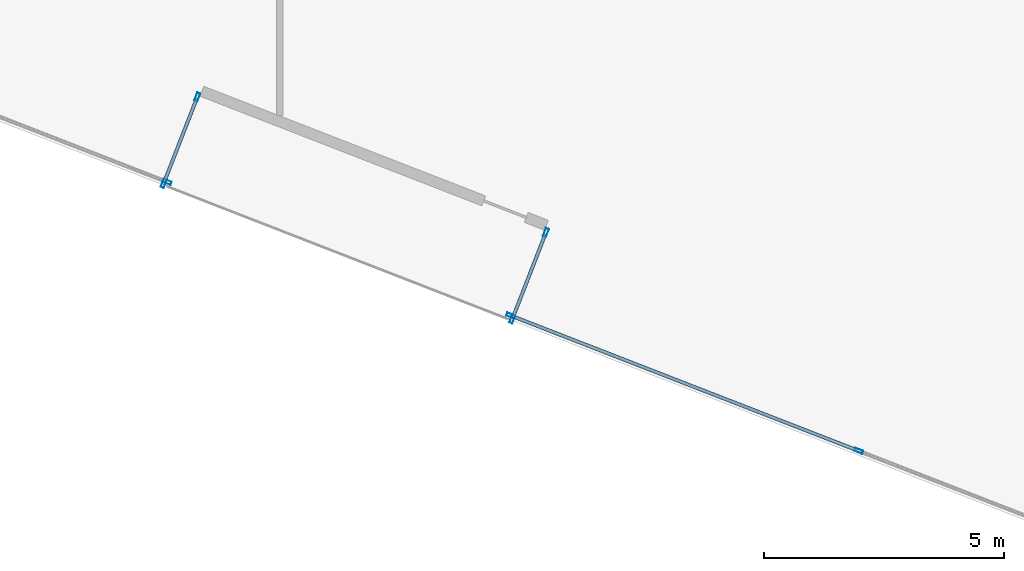
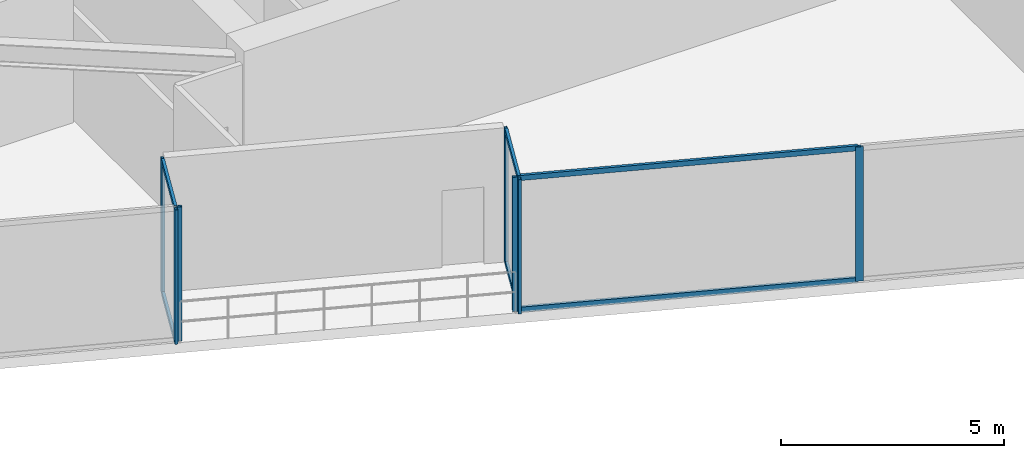
# One storey, part 3 of 26: 13 members, 4 elements without a shape of their own.
"""IFC4 building model written with IfcOpenShell, lengths in metres."""

from ifc_helpers import new_model, si_unit, direction, frame, origin, origin_2d, place, context, subcontext, project, spatial, hollow_rectangle, extrude, source, transform, mapped, material, material_profile, profile_set, type_object, type_shapes, element, aggregate, save


model = new_model("IFC4")

# Units and contexts
model_context = context("Model", 3, precision=1e-05, world=origin(), true_north=direction((0.0, 1.0)))
body_context = subcontext(model_context, "Body", "Model", "MODEL_VIEW")
ifc_project = project(units=[si_unit("LENGTHUNIT", "METRE"), si_unit("AREAUNIT", "SQUARE_METRE"), si_unit("VOLUMEUNIT", "CUBIC_METRE"), si_unit("PLANEANGLEUNIT", "RADIAN"), si_unit("MASSUNIT", "GRAM", prefix="KILO")], contexts=[model_context])

# Site, building, storey
site_placement = place(None, origin())
site = spatial("IfcSite", under=ifc_project, at=site_placement, CompositionType="ELEMENT")
building_placement = place(site_placement, origin())
building = spatial("IfcBuilding", under=site, at=building_placement, Name="Krantzveldt Concourse Tower", CompositionType="ELEMENT")
storey_placement = place(building_placement, frame((0.0, 0.0, 129.550048828125)))
storey = spatial("IfcBuildingStorey", under=building, at=storey_placement, Name="L31", CompositionType="ELEMENT", Elevation=129.550048828125)

# Curtain wall, member
ifc_material = material(Name="Anodised aluminium 6063-T6", Category="aluminium")
curtain_wall_type_1 = type_object("IfcCurtainWallType", Name="CW2", PredefinedType="USERDEFINED", material=ifc_material)
curtain_wall_1_placement = place(storey_placement, origin())
curtain_wall_1 = element("IfcCurtainWall", 1, at=curtain_wall_1_placement, inside=storey, type_object=curtain_wall_type_1, Name="CW-L31-F04", ObjectType="UNITISED CURTAIN WALL", PredefinedType="USERDEFINED")
ifc_material_profile_1 = material_profile(ifc_material, hollow_rectangle(XDim=0.070068359375, YDim=0.179931640625, WallThickness=0.0048828125, at=origin_2d()), Name="Anodised aluminium 6063-T6", Category="aluminium")
ifc_profile_set_1 = profile_set([ifc_material_profile_1], Name="Anodised aluminium 6063-T6 - ALU-MULL 180x70x5")
member_type_1 = type_object("IfcMemberType", Name="CW-MUL-180", PredefinedType="MULLION", material=ifc_profile_set_1)
shared_shape_1 = source(origin(), body_context, "Body", "SweptSolid", [
    extrude(hollow_rectangle(XDim=0.070068359375, YDim=0.179931640625, WallThickness=0.0048828125, at=origin_2d()), origin(), (0.0, 0.0, 1.0), 3.669921875),
])
type_shapes(member_type_1, [shared_shape_1])
member_1_placement = place(storey_placement, frame((23.977294921875, 6.36474609375, 0.0), z_axis=(0.0, 0.0, 1.0), x_axis=(0.362437908899, 0.932007919598, 0.0)))
member_1 = element("IfcMember", 2, at=member_1_placement, type_object=member_type_1, Name="CW-Z12 mullion 3", PredefinedType="MULLION", context=body_context, shape_type="MappedRepresentation", body=[
    mapped(shared_shape_1, transform((0.0, 0.0, 0.0), x_axis=(1.0, 0.0, 0.0), y_axis=(0.0, 1.0, 0.0), z_axis=(0.0, 0.0, 1.0), scale=1.0)),
])
aggregate(curtain_wall_1, [member_1])

# Curtain wall, members
curtain_wall_type_2 = type_object("IfcCurtainWallType", Name="CW6", PredefinedType="USERDEFINED", material=ifc_material)
curtain_wall_2_placement = place(storey_placement, origin())
curtain_wall_2 = element("IfcCurtainWall", 3, at=curtain_wall_2_placement, inside=storey, type_object=curtain_wall_type_2, Name="CW-L31-TR05", ObjectType="UNITISED CURTAIN WALL", PredefinedType="USERDEFINED")
member_2_placement = place(storey_placement, frame((23.906005859375, 6.33349609375, 0.0), z_axis=(0.0, 0.0, 1.0), x_axis=(-0.932007486518, 0.36243902256, 0.0)))
member_2 = element("IfcMember", 4, at=member_2_placement, type_object=member_type_1, Name="CW-TERR mullion 1", PredefinedType="MULLION", context=body_context, shape_type="MappedRepresentation", body=[
    mapped(shared_shape_1, transform((0.0, 0.0, 0.0), x_axis=(1.0, 0.0, 0.0), y_axis=(0.0, 1.0, 0.0), z_axis=(0.0, 0.0, 1.0), scale=1.0)),
])
member_3_placement = place(storey_placement, frame((24.605712890625, 8.13232421875, 0.0), z_axis=(0.0, 0.0, 1.0), x_axis=(-0.932007486518, 0.36243902256, 0.0)))
member_3 = element("IfcMember", 5, at=member_3_placement, type_object=member_type_1, Name="CW-TERR mullion 2", PredefinedType="MULLION", context=body_context, shape_type="MappedRepresentation", body=[
    mapped(shared_shape_1, transform((0.0, 0.0, 0.0), x_axis=(1.0, 0.0, 0.0), y_axis=(0.0, 1.0, 0.0), z_axis=(0.0, 0.0, 1.0), scale=1.0)),
])

curtain_wall_3_placement = place(storey_placement, origin())
curtain_wall_3 = element("IfcCurtainWall", 6, at=curtain_wall_3_placement, inside=storey, type_object=curtain_wall_type_2, Name="CW-L31-TR07", ObjectType="UNITISED CURTAIN WALL", PredefinedType="USERDEFINED")
member_4_placement = place(storey_placement, frame((31.856689453125, 5.3125, 0.0), z_axis=(0.0, 0.0, 1.0), x_axis=(0.932007486518, -0.36243902256, 0.0)))
member_4 = element("IfcMember", 7, at=member_4_placement, type_object=member_type_1, Name="CW-TERR mullion 1", PredefinedType="MULLION", context=body_context, shape_type="MappedRepresentation", body=[
    mapped(shared_shape_1, transform((0.0, 0.0, 0.0), x_axis=(1.0, 0.0, 0.0), y_axis=(0.0, 1.0, 0.0), z_axis=(0.0, 0.0, 1.0), scale=1.0)),
])
member_5_placement = place(storey_placement, frame((31.1572265625, 3.513671875, 0.0), z_axis=(0.0, 0.0, 1.0), x_axis=(0.932007486518, -0.36243902256, 0.0)))
member_5 = element("IfcMember", 8, at=member_5_placement, type_object=member_type_1, Name="CW-TERR mullion 2", PredefinedType="MULLION", context=body_context, shape_type="MappedRepresentation", body=[
    mapped(shared_shape_1, transform((0.0, 0.0, 0.0), x_axis=(1.0, 0.0, 0.0), y_axis=(0.0, 1.0, 0.0), z_axis=(0.0, 0.0, 1.0), scale=1.0)),
])

curtain_wall_4_placement = place(storey_placement, origin())
curtain_wall_4 = element("IfcCurtainWall", 9, at=curtain_wall_4_placement, inside=storey, type_object=curtain_wall_type_1, Name="CW-L31-F08", ObjectType="UNITISED CURTAIN WALL", PredefinedType="USERDEFINED")
member_6_placement = place(storey_placement, frame((31.125732421875, 3.5849609375, 0.0), z_axis=(0.0, 0.0, 1.0), x_axis=(0.362437908899, 0.932007919598, 0.0)))
member_6 = element("IfcMember", 10, at=member_6_placement, type_object=member_type_1, Name="CW-Z12 mullion 1", PredefinedType="MULLION", context=body_context, shape_type="MappedRepresentation", body=[
    mapped(shared_shape_1, transform((0.0, 0.0, 0.0), x_axis=(1.0, 0.0, 0.0), y_axis=(0.0, 1.0, 0.0), z_axis=(0.0, 0.0, 1.0), scale=1.0)),
])
member_7_placement = place(storey_placement, frame((38.36279296875, 0.7705078125, 0.0), z_axis=(0.0, 0.0, 1.0), x_axis=(0.362437908899, 0.932007919598, 0.0)))
member_7 = element("IfcMember", 11, at=member_7_placement, type_object=member_type_1, Name="CW-Z12 mullion 2", PredefinedType="MULLION", context=body_context, shape_type="MappedRepresentation", body=[
    mapped(shared_shape_1, transform((0.0, 0.0, 0.0), x_axis=(1.0, 0.0, 0.0), y_axis=(0.0, 1.0, 0.0), z_axis=(0.0, 0.0, 1.0), scale=1.0)),
])

# Member
ifc_material_profile_2 = material_profile(ifc_material, hollow_rectangle(XDim=0.070068359375, YDim=0.139892578125, WallThickness=0.0048828125, at=origin_2d()), Name="Anodised aluminium 6063-T6", Category="aluminium")
ifc_profile_set_2 = profile_set([ifc_material_profile_2], Name="Anodised aluminium 6063-T6 - ALU-TRAN 140x70x5")
member_type_2 = type_object("IfcMemberType", Name="CW-TRN-150", PredefinedType="USERDEFINED", material=ifc_profile_set_2)
shared_shape_2 = source(origin(), body_context, "Body", "SweptSolid", [
    extrude(hollow_rectangle(XDim=0.070068359375, YDim=0.139892578125, WallThickness=0.0048828125, at=origin_2d()), origin(), (0.0, 0.0, 1.0), 1.860107421875),
])
member_8_placement = place(storey_placement, frame((31.843994140625, 5.280029296875, 0.034912109375), z_axis=(-0.362389255196, -0.932026838518, 0.0), x_axis=(0.932026838518, -0.362389255196, 0.0)))
member_8 = element("IfcMember", 12, at=member_8_placement, type_object=member_type_2, Name="CW-TERR transom 1.1", ObjectType="TRANSOM", PredefinedType="USERDEFINED", context=body_context, shape_type="MappedRepresentation", body=[
    mapped(shared_shape_2, transform((0.0, 0.0, 0.0), x_axis=(1.0, 0.0, 0.0), y_axis=(0.0, 1.0, 0.0), z_axis=(0.0, 0.0, 1.0), scale=1.0)),
])

member_9_placement = place(storey_placement, frame((31.843994140625, 5.280029296875, 3.635009765625), z_axis=(-0.362389255196, -0.932026838518, 0.0), x_axis=(0.932026838518, -0.362389255196, 0.0)))
member_9 = element("IfcMember", 13, at=member_9_placement, type_object=member_type_2, Name="CW-TERR transom 1.2", ObjectType="TRANSOM", PredefinedType="USERDEFINED", context=body_context, shape_type="MappedRepresentation", body=[
    mapped(shared_shape_2, transform((0.0, 0.0, 0.0), x_axis=(1.0, 0.0, 0.0), y_axis=(0.0, 1.0, 0.0), z_axis=(0.0, 0.0, 1.0), scale=1.0)),
])

aggregate(curtain_wall_3, [member_4, member_5, member_8, member_9])

shared_shape_3 = source(origin(), body_context, "Body", "SweptSolid", [
    extrude(hollow_rectangle(XDim=0.070068359375, YDim=0.139892578125, WallThickness=0.0048828125, at=origin_2d()), origin(), (0.0, 0.0, 1.0), 7.695068359375),
])
member_10_placement = place(storey_placement, frame((31.158447265625, 3.572265625, 0.034912109375), z_axis=(0.932004671541, -0.362446261155, 0.0), x_axis=(0.362446261155, 0.932004671541, 0.0)))
member_10 = element("IfcMember", 14, at=member_10_placement, type_object=member_type_2, Name="CW-Z12 transom 1.1", ObjectType="TRANSOM", PredefinedType="USERDEFINED", context=body_context, shape_type="MappedRepresentation", body=[
    mapped(shared_shape_3, transform((0.0, 0.0, 0.0), x_axis=(1.0, 0.0, 0.0), y_axis=(0.0, 1.0, 0.0), z_axis=(0.0, 0.0, 1.0), scale=1.0)),
])

member_11_placement = place(storey_placement, frame((31.158447265625, 3.572265625, 3.635009765625), z_axis=(0.932004671541, -0.362446261155, 0.0), x_axis=(0.362446261155, 0.932004671541, 0.0)))
member_11 = element("IfcMember", 15, at=member_11_placement, type_object=member_type_2, Name="CW-Z12 transom 1.2", ObjectType="TRANSOM", PredefinedType="USERDEFINED", context=body_context, shape_type="MappedRepresentation", body=[
    mapped(shared_shape_3, transform((0.0, 0.0, 0.0), x_axis=(1.0, 0.0, 0.0), y_axis=(0.0, 1.0, 0.0), z_axis=(0.0, 0.0, 1.0), scale=1.0)),
])

aggregate(curtain_wall_4, [member_6, member_7, member_10, member_11])

shared_shape_4 = source(origin(), body_context, "Body", "SweptSolid", [
    extrude(hollow_rectangle(XDim=0.070068359375, YDim=0.139892578125, WallThickness=0.0048828125, at=origin_2d()), origin(), (0.0, 0.0, 1.0), 1.85986328125),
])
type_shapes(member_type_2, [shared_shape_2, shared_shape_3, shared_shape_4])
member_12_placement = place(storey_placement, frame((23.918701171875, 6.3662109375, 0.034912109375), z_axis=(0.362547609309, 0.931965252026, 0.0), x_axis=(-0.931965252026, 0.362547609309, 0.0)))
member_12 = element("IfcMember", 16, at=member_12_placement, type_object=member_type_2, Name="CW-TERR transom 1.1", ObjectType="TRANSOM", PredefinedType="USERDEFINED", context=body_context, shape_type="MappedRepresentation", body=[
    mapped(shared_shape_4, transform((0.0, 0.0, 0.0), x_axis=(1.0, 0.0, 0.0), y_axis=(0.0, 1.0, 0.0), z_axis=(0.0, 0.0, 1.0), scale=1.0)),
])

member_13_placement = place(storey_placement, frame((23.918701171875, 6.3662109375, 3.635009765625), z_axis=(0.362547609309, 0.931965252026, 0.0), x_axis=(-0.931965252026, 0.362547609309, 0.0)))
member_13 = element("IfcMember", 17, at=member_13_placement, type_object=member_type_2, Name="CW-TERR transom 1.2", ObjectType="TRANSOM", PredefinedType="USERDEFINED", context=body_context, shape_type="MappedRepresentation", body=[
    mapped(shared_shape_4, transform((0.0, 0.0, 0.0), x_axis=(1.0, 0.0, 0.0), y_axis=(0.0, 1.0, 0.0), z_axis=(0.0, 0.0, 1.0), scale=1.0)),
])

aggregate(curtain_wall_2, [member_2, member_3, member_12, member_13])

save(model, "model.ifc")
